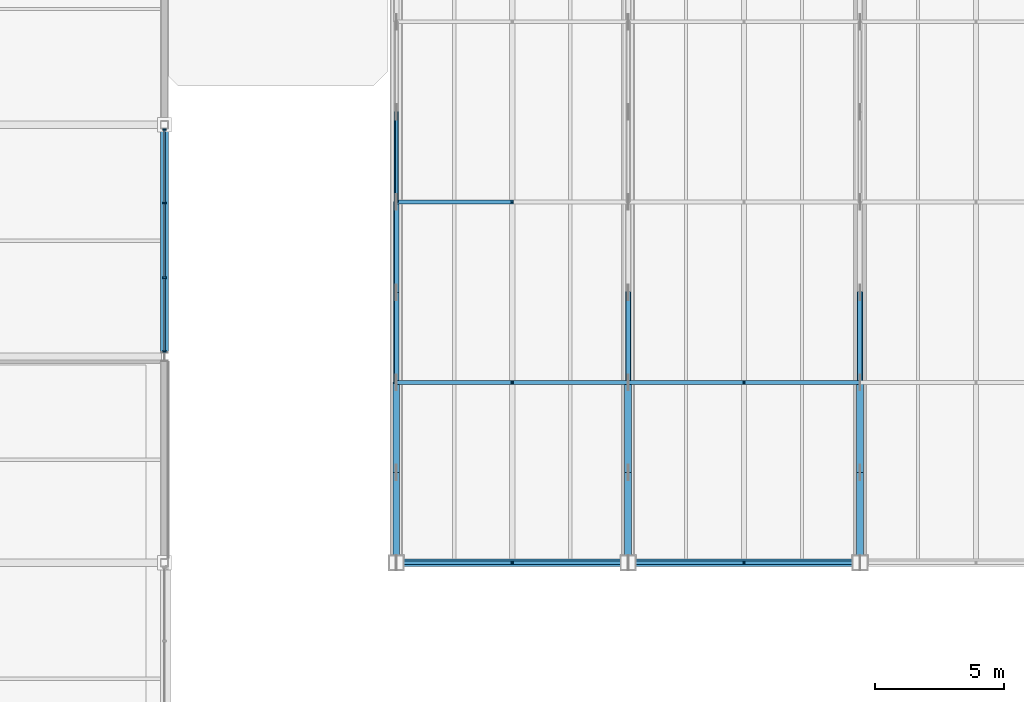
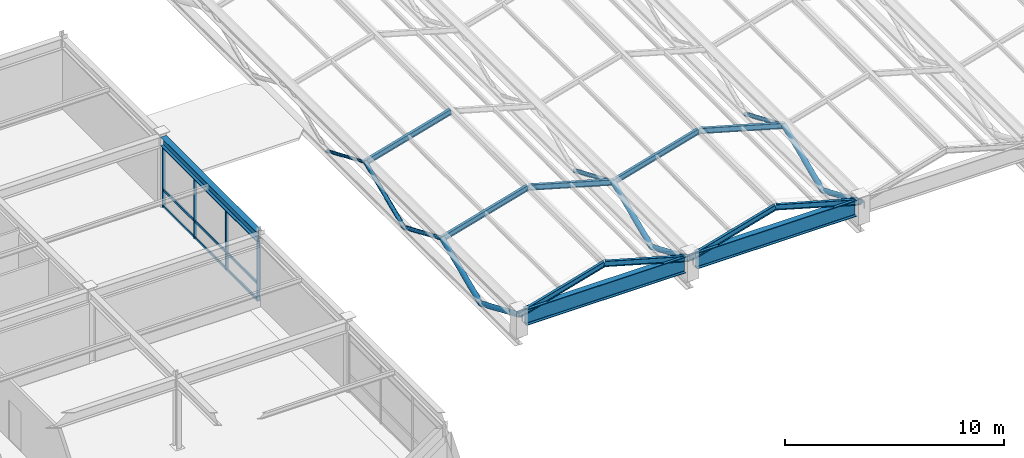
# One storey, part 31 of 108: 33 members, 3 beams, 1 element without a shape of its own.
"""IFC4 building model written with IfcOpenShell, lengths in metres."""

import ifcopenshell
import ifcopenshell.guid

model = None  # the IFC model being written
_history = None  # IfcOwnerHistory: only IFC2X3 demands one
_inside = {}  # id of a spatial element -> (the spatial element, [elements in it])
_under = {}  # id of a project, library or spatial element -> (it, [spatial elements below it])
_declared = {}  # id of a project -> (the project, [libraries it declares])
_typed = {}  # id of a type object -> (the type object, [elements of that type])
_made_of = {}  # id of a material, layer set ... -> (it, [elements and type objects made of it])


def new_model(schema):
    """Start an empty IFC model of exactly this schema.

    Asked for "IFC4X3", IfcOpenShell would pick the latest addendum, in which some entities
    have other attributes; the version numbers below select the first issue.
    IFC2X3 requires an IfcOwnerHistory on every rooted entity: one is made here for all.
    """
    global model, _history
    if schema == "IFC4X3":
        model = ifcopenshell.file(schema_version=(4, 3, 0, 0))
    else:
        model = ifcopenshell.file(schema=schema)
    _inside.clear()
    _under.clear()
    _declared.clear()
    _typed.clear()
    _made_of.clear()
    _history = None
    if model.schema == "IFC2X3":
        org = make("IfcOrganization", Name="unknown")
        user = make(
            "IfcPersonAndOrganization",
            ThePerson=make("IfcPerson", FamilyName="unknown"),
            TheOrganization=org,
        )
        app = make(
            "IfcApplication",
            ApplicationDeveloper=org,
            Version="unknown",
            ApplicationFullName="unknown",
            ApplicationIdentifier="unknown",
        )
        _history = make(
            "IfcOwnerHistory",
            OwningUser=user,
            OwningApplication=app,
            ChangeAction="ADDED",
            CreationDate=0,
        )
    return model


def make(cls, **values):
    """One entity of the class cls with the attributes given. An attribute that is None is left unset."""
    return model.create_entity(
        cls, **{name: value for name, value in values.items() if value is not None}
    )


def rooted(cls, **values):
    """An entity with a GlobalId (a new one), such as an element, a storey or a relation."""
    return make(cls, GlobalId=ifcopenshell.guid.new(), OwnerHistory=_history, **values)


def si_unit(unit_type, name, prefix=None):
    """IfcSIUnit, for example si_unit("LENGTHUNIT", "METRE", prefix="MILLI")."""
    return make("IfcSIUnit", UnitType=unit_type, Prefix=prefix, Name=name)


def assignment(units):
    """IfcUnitAssignment: the units of a project."""
    return None if units is None else make("IfcUnitAssignment", Units=units)


def point(xyz):
    """IfcCartesianPoint."""
    return None if xyz is None else make("IfcCartesianPoint", Coordinates=xyz)


def direction(xyz):
    """IfcDirection."""
    return None if xyz is None else make("IfcDirection", DirectionRatios=xyz)


def frame(location, z_axis=None, x_axis=None):
    """IfcAxis2Placement3D, a coordinate frame: its origin and axes. An axis left out is left unset."""
    return make(
        "IfcAxis2Placement3D",
        Location=point(location),
        Axis=direction(z_axis),
        RefDirection=direction(x_axis),
    )


def frame_2d(location, x_axis=None):
    """IfcAxis2Placement2D, a coordinate frame in the plane: its origin and x axis."""
    return make(
        "IfcAxis2Placement2D", Location=point(location), RefDirection=direction(x_axis)
    )


def origin():
    """The frame at (0, 0, 0) with its axes left unset."""
    return frame((0.0, 0.0, 0.0))


def origin_2d():
    """The frame at (0, 0) in the plane with its x axis left unset."""
    return frame_2d((0.0, 0.0))


def place(relative_to, where):
    """IfcLocalPlacement: puts the frame where relative to a parent placement (None: the world)."""
    return make(
        "IfcLocalPlacement", PlacementRelTo=relative_to, RelativePlacement=where
    )


def context(
    kind, dimensions, precision=None, world=None, true_north=None, identifier=None
):
    """IfcGeometricRepresentationContext, for example the 3D "Model" context."""
    return make(
        "IfcGeometricRepresentationContext",
        ContextIdentifier=identifier,
        ContextType=kind,
        CoordinateSpaceDimension=dimensions,
        Precision=precision,
        WorldCoordinateSystem=world,
        TrueNorth=true_north,
    )


def subcontext(parent, identifier, kind, view, scale=None):
    """IfcGeometricRepresentationSubContext, for example "Body" below "Model"."""
    return make(
        "IfcGeometricRepresentationSubContext",
        ContextIdentifier=identifier,
        ContextType=kind,
        ParentContext=parent,
        TargetScale=scale,
        TargetView=view,
    )


def project(units=None, contexts=None):
    """IfcProject with its units and contexts."""
    return rooted(
        "IfcProject",
        Name="project",
        RepresentationContexts=contexts,
        UnitsInContext=assignment(units),
    )


def spatial(cls, under=None, at=None, **own):
    """A site, building, storey or space (cls), placed at a placement, below another one or the project."""
    s = rooted(cls, ObjectPlacement=at, **own)
    if under is not None:
        _under.setdefault(under.id(), (under, []))[1].append(s)
    return s


def profile(cls, at=None, kind="AREA", **sizes):
    """A parametric profile (cls). Its sizes go by their IFC names, for example OverallWidth=200.0."""
    return make(cls, ProfileType=kind, Position=at, **sizes)


def rectangle(**sizes):
    """IfcRectangleProfileDef."""
    return profile("IfcRectangleProfileDef", **sizes)


def hollow_circle(**sizes):
    """IfcCircleHollowProfileDef."""
    return profile("IfcCircleHollowProfileDef", **sizes)


def i_section(**sizes):
    """IfcIShapeProfileDef."""
    return profile("IfcIShapeProfileDef", **sizes)


def extrude(swept, where, along, depth):
    """IfcExtrudedAreaSolid: the profile swept, set in the frame where, extruded along a direction by depth."""
    return make(
        "IfcExtrudedAreaSolid",
        SweptArea=swept,
        Position=where,
        ExtrudedDirection=direction(along),
        Depth=depth,
    )


def shape(context_of_items, identifier, shape_type, items):
    """IfcShapeRepresentation: the items that make up one representation, for example the "Body"."""
    return make(
        "IfcShapeRepresentation",
        ContextOfItems=context_of_items,
        RepresentationIdentifier=identifier,
        RepresentationType=shape_type,
        Items=items,
    )


def material(Name=None, Category=None):
    """IfcMaterial."""
    return make("IfcMaterial", Name=Name, Category=Category)


def material_profile(
    of_material, cross_section, Name=None, Category=None, Priority=None
):
    """IfcMaterialProfile: a cross section and its material."""
    return make(
        "IfcMaterialProfile",
        Name=Name,
        Material=of_material,
        Profile=cross_section,
        Priority=Priority,
        Category=Category,
    )


def profile_set(profiles, Name=None, composite=None):
    """IfcMaterialProfileSet."""
    return make(
        "IfcMaterialProfileSet",
        Name=Name,
        MaterialProfiles=profiles,
        CompositeProfile=composite,
    )


def made_of(thing, what):
    """Note that an element or type object is made of a material, layer set ...; save() writes the relation."""
    if what is not None:
        _made_of.setdefault(what.id(), (what, []))[1].append(thing)
    return thing


def type_object(cls, material=None, **own):
    """A type object (cls), such as IfcWallType, which elements share."""
    return made_of(rooted(cls, **own), material)


def element(
    cls,
    number,
    at=None,
    inside=None,
    cuts=None,
    type_object=None,
    material=None,
    context=None,
    identifier="Body",
    shape_type=None,
    held_by="IfcProductDefinitionShape",
    body=None,
    shapes=None,
    **own,
):
    """One element of the class cls, such as IfcWall. Its Tag is "e" and its number.

    at: its placement. inside: the storey or other place that contains it. cuts: it is an
    opening in that element (IfcRelVoidsElement). A single representation is given by context,
    identifier, shape_type and body (its items); several are given by shapes. held_by: the class
    of the entity that holds the representations. save() writes the other relations.
    """
    e = rooted(cls, Tag="e%d" % number, ObjectPlacement=at, **own)
    if body is not None:
        shapes = [shape(context, identifier, shape_type, body)]
    if shapes is not None:
        e.Representation = make(held_by, Representations=shapes)
    if inside is not None:
        _inside.setdefault(inside.id(), (inside, []))[1].append(e)
    if cuts is not None:
        rooted(
            "IfcRelVoidsElement", RelatingBuildingElement=cuts, RelatedOpeningElement=e
        )
    if type_object is not None:
        _typed.setdefault(type_object.id(), (type_object, []))[1].append(e)
    return made_of(e, material)


def aggregate(whole, parts):
    """IfcRelAggregates: a whole, such as a stair, and the parts it consists of."""
    return rooted("IfcRelAggregates", RelatingObject=whole, RelatedObjects=parts)


def save(model, path):
    """Write the relations noted so far, then the file.

    IfcRelAggregates (storeys below a building ...), IfcRelContainedInSpatialStructure (elements
    in a storey), IfcRelDefinesByType, IfcRelAssociatesMaterial and IfcRelDeclares: one each for
    every whole, place, type object, material and project.
    """
    for whole, parts in _under.values():
        aggregate(whole, parts)
    for where, things in _inside.values():
        rooted(
            "IfcRelContainedInSpatialStructure",
            RelatedElements=things,
            RelatingStructure=where,
        )
    for kind, things in _typed.values():
        rooted("IfcRelDefinesByType", RelatedObjects=things, RelatingType=kind)
    for what, things in _made_of.values():
        rooted("IfcRelAssociatesMaterial", RelatedObjects=things, RelatingMaterial=what)
    for by, libraries in _declared.values():
        rooted("IfcRelDeclares", RelatingContext=by, RelatedDefinitions=libraries)
    model.write(path)


model = new_model("IFC4")

# Units and contexts
model_context = context("Model", 3, precision=1e-05, world=origin(), true_north=direction((0.0, 1.0)))
body_context = subcontext(model_context, "Body", "Model", "MODEL_VIEW")
ifc_project = project(units=[si_unit("LENGTHUNIT", "METRE"), si_unit("AREAUNIT", "SQUARE_METRE"), si_unit("VOLUMEUNIT", "CUBIC_METRE"), si_unit("PLANEANGLEUNIT", "RADIAN"), si_unit("MASSUNIT", "GRAM", prefix="KILO")], contexts=[model_context])

# Site, building, storey
site_placement = place(None, origin())
site = spatial("IfcSite", under=ifc_project, at=site_placement, CompositionType="ELEMENT")
building_placement = place(site_placement, origin())
building = spatial("IfcBuilding", under=site, at=building_placement, Name="Suzunagisa Mobility Hub", CompositionType="ELEMENT")
storey_placement = place(building_placement, frame((0.0, 0.0, 9.300048828125)))
storey = spatial("IfcBuildingStorey", under=building, at=storey_placement, Name="L02", CompositionType="ELEMENT", Elevation=9.300048828125)

# Curtain wall, members
ifc_material_1 = material(Name="Thermally Broken Anodized Aluminum and Low-E Glazing", Category="aluminium")
curtain_wall_type = type_object("IfcCurtainWallType", Name="Unitised Curtain Wall CW-12 8750x3300", PredefinedType="USERDEFINED", material=ifc_material_1)
curtain_wall_placement = place(storey_placement, origin())
curtain_wall = element("IfcCurtainWall", 1, at=curtain_wall_placement, inside=storey, type_object=curtain_wall_type, Name="L02 Unitised Curtain Wall CW-28", ObjectType="UNITISED CURTAIN WALL", PredefinedType="USERDEFINED")
ifc_material_2 = material(Name="Anodized Aluminum 6063-T6", Category="aluminium")
ifc_material_profile_1 = material_profile(ifc_material_2, rectangle(XDim=0.06494140625, YDim=0.139892578125, at=origin_2d()), Name="TRAN-65x140")
ifc_profile_set_1 = profile_set([ifc_material_profile_1], Name="Anodized Aluminum 6063-T6")
member_type_1 = type_object("IfcMemberType", Name="Curtain Wall Framing CM-01 TRAN-65x140", PredefinedType="USERDEFINED", material=ifc_profile_set_1)
member_1_placement = place(storey_placement, frame((36.0, 44.22802734375, 0.032470703125), z_axis=(0.0, 1.0, 0.0), x_axis=(-1.0, 0.0, 0.0)))
member_1 = element("IfcMember", 2, at=member_1_placement, type_object=member_type_1, Name="Curtain Wall Transom 28-T1.1", ObjectType="TRANSOM", PredefinedType="USERDEFINED", context=body_context, shape_type="SweptSolid", body=[
    extrude(rectangle(XDim=0.06494140625, YDim=0.139892578125, at=origin_2d()), origin(), (0.0, 0.0, 1.0), 2.807373046875),
])
member_2_placement = place(storey_placement, frame((36.0, 44.22802734375, 0.949951171875), z_axis=(0.0, 1.0, 0.0), x_axis=(-1.0, 0.0, 0.0)))
member_2 = element("IfcMember", 3, at=member_2_placement, type_object=member_type_1, Name="Curtain Wall Transom 28-T1.2", ObjectType="TRANSOM", PredefinedType="USERDEFINED", context=body_context, shape_type="SweptSolid", body=[
    extrude(rectangle(XDim=0.06494140625, YDim=0.139892578125, at=origin_2d()), origin(), (0.0, 0.0, 1.0), 2.807373046875),
])
member_3_placement = place(storey_placement, frame((36.0, 44.22802734375, 3.299560546875), z_axis=(0.0, 1.0, 0.0), x_axis=(-1.0, 0.0, 0.0)))
member_3 = element("IfcMember", 4, at=member_3_placement, type_object=member_type_1, Name="Curtain Wall Transom 28-T1.3", ObjectType="TRANSOM", PredefinedType="USERDEFINED", context=body_context, shape_type="SweptSolid", body=[
    extrude(rectangle(XDim=0.06494140625, YDim=0.139892578125, at=origin_2d()), origin(), (0.0, 0.0, 1.0), 2.807373046875),
])
member_4_placement = place(storey_placement, frame((36.0, 47.09130859375, 0.032470703125), z_axis=(0.0, 1.0, 0.0), x_axis=(-1.0, 0.0, 0.0)))
member_4 = element("IfcMember", 5, at=member_4_placement, type_object=member_type_1, Name="Curtain Wall Transom 28-T2.1", ObjectType="TRANSOM", PredefinedType="USERDEFINED", context=body_context, shape_type="SweptSolid", body=[
    extrude(rectangle(XDim=0.06494140625, YDim=0.139892578125, at=origin_2d()), origin(), (0.0, 0.0, 1.0), 2.83740234375),
])
member_5_placement = place(storey_placement, frame((36.0, 47.09130859375, 0.949951171875), z_axis=(0.0, 1.0, 0.0), x_axis=(-1.0, 0.0, 0.0)))
member_5 = element("IfcMember", 6, at=member_5_placement, type_object=member_type_1, Name="Curtain Wall Transom 28-T2.2", ObjectType="TRANSOM", PredefinedType="USERDEFINED", context=body_context, shape_type="SweptSolid", body=[
    extrude(rectangle(XDim=0.06494140625, YDim=0.139892578125, at=origin_2d()), origin(), (0.0, 0.0, 1.0), 2.83740234375),
])
member_6_placement = place(storey_placement, frame((36.0, 47.09130859375, 3.299560546875), z_axis=(0.0, 1.0, 0.0), x_axis=(-1.0, 0.0, 0.0)))
member_6 = element("IfcMember", 7, at=member_6_placement, type_object=member_type_1, Name="Curtain Wall Transom 28-T2.3", ObjectType="TRANSOM", PredefinedType="USERDEFINED", context=body_context, shape_type="SweptSolid", body=[
    extrude(rectangle(XDim=0.06494140625, YDim=0.139892578125, at=origin_2d()), origin(), (0.0, 0.0, 1.0), 2.83740234375),
])
member_7_placement = place(storey_placement, frame((36.0, 49.984619140625, 0.032470703125), z_axis=(0.0, 1.0, 0.0), x_axis=(-1.0, 0.0, 0.0)))
member_7 = element("IfcMember", 8, at=member_7_placement, type_object=member_type_1, Name="Curtain Wall Transom 28-T3.1", ObjectType="TRANSOM", PredefinedType="USERDEFINED", context=body_context, shape_type="SweptSolid", body=[
    extrude(rectangle(XDim=0.06494140625, YDim=0.139892578125, at=origin_2d()), origin(), (0.0, 0.0, 1.0), 2.807373046875),
])
member_8_placement = place(storey_placement, frame((36.0, 49.984619140625, 0.949951171875), z_axis=(0.0, 1.0, 0.0), x_axis=(-1.0, 0.0, 0.0)))
member_8 = element("IfcMember", 9, at=member_8_placement, type_object=member_type_1, Name="Curtain Wall Transom 28-T3.2", ObjectType="TRANSOM", PredefinedType="USERDEFINED", context=body_context, shape_type="SweptSolid", body=[
    extrude(rectangle(XDim=0.06494140625, YDim=0.139892578125, at=origin_2d()), origin(), (0.0, 0.0, 1.0), 2.807373046875),
])
member_9_placement = place(storey_placement, frame((36.0, 49.984619140625, 3.299560546875), z_axis=(0.0, 1.0, 0.0), x_axis=(-1.0, 0.0, 0.0)))
member_9 = element("IfcMember", 10, at=member_9_placement, type_object=member_type_1, Name="Curtain Wall Transom 28-T3.3", ObjectType="TRANSOM", PredefinedType="USERDEFINED", context=body_context, shape_type="SweptSolid", body=[
    extrude(rectangle(XDim=0.06494140625, YDim=0.139892578125, at=origin_2d()), origin(), (0.0, 0.0, 1.0), 2.807373046875),
])
ifc_material_profile_2 = material_profile(ifc_material_2, rectangle(XDim=0.06005859375, YDim=0.14990234375, at=origin_2d()), Name="MULL-60x150")
ifc_profile_set_2 = profile_set([ifc_material_profile_2], Name="Anodized Aluminum 6063-T6")
member_type_2 = type_object("IfcMemberType", Name="Curtain Wall Framing CM-03 MULL-60x150", PredefinedType="MULLION", material=ifc_profile_set_2)
member_10_placement = place(storey_placement, frame((36.0, 44.199951171875, 0.0), z_axis=(0.0, 0.0, 1.0), x_axis=(0.0, 1.0, 0.0)))
member_10 = element("IfcMember", 11, at=member_10_placement, type_object=member_type_2, Name="Curtain Wall Mullion 28-M1", PredefinedType="MULLION", context=body_context, shape_type="SweptSolid", body=[
    extrude(rectangle(XDim=0.06005859375, YDim=0.14990234375, at=origin_2d()), origin(), (0.0, 0.0, 1.0), 3.33203125),
])
member_11_placement = place(storey_placement, frame((36.0, 47.063232421875, 0.0), z_axis=(0.0, 0.0, 1.0), x_axis=(0.0, 1.0, 0.0)))
member_11 = element("IfcMember", 12, at=member_11_placement, type_object=member_type_2, Name="Curtain Wall Mullion 28-M2", PredefinedType="MULLION", context=body_context, shape_type="SweptSolid", body=[
    extrude(rectangle(XDim=0.06005859375, YDim=0.14990234375, at=origin_2d()), origin(), (0.0, 0.0, 1.0), 3.33203125),
])
member_12_placement = place(storey_placement, frame((36.0, 49.956787109375, 0.0), z_axis=(0.0, 0.0, 1.0), x_axis=(0.0, 1.0, 0.0)))
member_12 = element("IfcMember", 13, at=member_12_placement, type_object=member_type_2, Name="Curtain Wall Mullion 28-M3", PredefinedType="MULLION", context=body_context, shape_type="SweptSolid", body=[
    extrude(rectangle(XDim=0.06005859375, YDim=0.14990234375, at=origin_2d()), origin(), (0.0, 0.0, 1.0), 3.33203125),
])
member_13_placement = place(storey_placement, frame((36.0, 52.820068359375, 0.0), z_axis=(0.0, 0.0, 1.0), x_axis=(0.0, 1.0, 0.0)))
member_13 = element("IfcMember", 14, at=member_13_placement, type_object=member_type_2, Name="Curtain Wall Mullion 28-M4", PredefinedType="MULLION", context=body_context, shape_type="SweptSolid", body=[
    extrude(rectangle(XDim=0.06005859375, YDim=0.14990234375, at=origin_2d()), origin(), (0.0, 0.0, 1.0), 3.33203125),
])
aggregate(curtain_wall, [member_10, member_11, member_12, member_13, member_1, member_2, member_3, member_4, member_5, member_6, member_7, member_8, member_9])

# Members
ifc_material_3 = material(Name="Steel SN490B", Category="steel")
ifc_material_profile_3 = material_profile(ifc_material_3, hollow_circle(Radius=0.108154296875, WallThickness=0.00830078125, at=origin_2d()), Name="CHS-216.3x8.2")
ifc_profile_set_3 = profile_set([ifc_material_profile_3], Name="Steel SN490B")
member_type_3 = type_object("IfcMemberType", Name="Roof Truss and Brace Member MB-01 CHS-216.3x8.2", PredefinedType="STRUT", material=ifc_profile_set_3)
for number, where, z_axis, x_axis, name in (
    (15, (45.0, 43.0, 1.0537109375), (0.0, 0.919145030018, -0.393919298579), (-1.0, 0.0, 0.0), "Secondary Sub-Truss Web 3"),
    (16, (45.0, 46.5, -0.4462890625), (0.0, 0.919145030018, 0.393919298579), (-1.0, 0.0, 0.0), "Secondary Sub-Truss Web 4"),
    (17, (54.0, 43.0, 1.0537109375), (0.0, 0.919145030018, -0.393919298579), (-1.0, 0.0, 0.0), "Secondary Sub-Truss Web 13"),
    (18, (63.0, 43.0, 1.0537109375), (0.0, 0.919145030018, -0.393919298579), (-1.0, 0.0, 0.0), "Secondary Sub-Truss Web 23"),
):
    element("IfcMember", number, at=place(storey_placement, frame(where, z_axis=z_axis, x_axis=x_axis)), inside=storey, type_object=member_type_3, Name=name, PredefinedType="STRUT", context=body_context, shape_type="SweptSolid", body=[
        extrude(hollow_circle(Radius=0.108154296875, WallThickness=0.00830078125, at=origin_2d()), origin(), (0.0, 0.0, 1.0), 3.807861328125),
    ])
ifc_material_profile_4 = material_profile(ifc_material_3, hollow_circle(Radius=0.1337890625, WallThickness=0.00927734375, at=origin_2d()), Name="CHS-267.4x9.3")
ifc_profile_set_4 = profile_set([ifc_material_profile_4], Name="Steel SN490B")
member_type_4 = type_object("IfcMemberType", Name="Roof Truss and Brace Member MB-02 CHS-267.4x9.3", PredefinedType="STRUT", material=ifc_profile_set_4)
for number, where, z_axis, x_axis, name in (
    (19, (45.0, 36.0, 1.0537109375), (0.0, 0.919145030018, -0.393919298579), (-1.0, 0.0, 0.0), "Secondary Sub-Truss Web 1"),
    (20, (45.0, 39.5, -0.4462890625), (0.0, 0.919145030018, 0.393919298579), (-1.0, 0.0, 0.0), "Secondary Sub-Truss Web 2"),
    (21, (54.0, 36.0, 1.0537109375), (0.0, 0.919145030018, -0.393919298579), (-1.0, 0.0, 0.0), "Secondary Sub-Truss Web 11"),
    (22, (54.0, 39.5, -0.4462890625), (0.0, 0.919145030018, 0.393919298579), (-1.0, 0.0, 0.0), "Secondary Sub-Truss Web 12"),
    (23, (63.0, 36.0, 1.0537109375), (0.0, 0.919145030018, -0.393919298579), (-1.0, 0.0, 0.0), "Secondary Sub-Truss Web 21"),
    (24, (63.0, 39.5, -0.4462890625), (0.0, 0.919145030018, 0.393919298579), (-1.0, 0.0, 0.0), "Secondary Sub-Truss Web 22"),
):
    element("IfcMember", number, at=place(storey_placement, frame(where, z_axis=z_axis, x_axis=x_axis)), inside=storey, type_object=member_type_4, Name=name, PredefinedType="STRUT", context=body_context, shape_type="SweptSolid", body=[
        extrude(hollow_circle(Radius=0.1337890625, WallThickness=0.00927734375, at=origin_2d()), origin(), (0.0, 0.0, 1.0), 3.807861328125),
    ])
ifc_material_4 = material(Name="Steel SN400B", Category="steel")
ifc_material_profile_5 = material_profile(ifc_material_4, i_section(OverallWidth=0.14990234375, OverallDepth=0.300048828125, WebThickness=0.006591796875, FlangeThickness=0.009033203125, FilletRadius=0.008056640625, at=origin_2d()), Name="H-300x150x6.5x9")
ifc_profile_set_5 = profile_set([ifc_material_profile_5], Name="Steel SN400B")
member_type_5 = type_object("IfcMemberType", Name="Roof Truss and Brace Member MB-08 H-300x150x6.5x9", PredefinedType="RAFTER", material=ifc_profile_set_5)
for number, where, z_axis, x_axis, name in (
    (25, (45.0, 36.0, 1.0537109375), (0.961899182139, 0.0, 0.273404395357), (0.0, 1.0, 0.0), "Secondary Roof Sub-Rafter 92"),
    (26, (54.0, 36.0, 1.0537109375), (-0.961899182139, 0.0, 0.273404395357), (0.0, -1.0, 0.0), "Secondary Roof Sub-Rafter 93"),
    (27, (45.0, 43.0, 1.0537109375), (0.961899182139, 0.0, 0.273404395357), (0.0, 1.0, 0.0), "Secondary Roof Sub-Rafter 94"),
    (28, (54.0, 43.0, 1.0537109375), (-0.961899182139, 0.0, 0.273404395357), (0.0, -1.0, 0.0), "Secondary Roof Sub-Rafter 95"),
    (29, (45.0, 50.0, 1.0537109375), (0.961899182139, 0.0, 0.273404395357), (0.0, 1.0, 0.0), "Secondary Roof Sub-Rafter 96"),
    (30, (54.0, 36.0, 1.0537109375), (0.961899182139, 0.0, 0.273404395357), (0.0, 1.0, 0.0), "Secondary Roof Sub-Rafter 107"),
    (31, (63.0, 36.0, 1.0537109375), (-0.961899182139, 0.0, 0.273404395357), (0.0, -1.0, 0.0), "Secondary Roof Sub-Rafter 108"),
    (32, (54.0, 43.0, 1.0537109375), (0.961899182139, 0.0, 0.273404395357), (0.0, 1.0, 0.0), "Secondary Roof Sub-Rafter 109"),
    (33, (63.0, 43.0, 1.0537109375), (-0.961899182139, 0.0, 0.273404395357), (0.0, -1.0, 0.0), "Secondary Roof Sub-Rafter 110"),
):
    element("IfcMember", number, at=place(storey_placement, frame(where, z_axis=z_axis, x_axis=x_axis)), inside=storey, type_object=member_type_5, Name=name, PredefinedType="RAFTER", context=body_context, shape_type="SweptSolid", body=[
        extrude(i_section(OverallWidth=0.14990234375, OverallDepth=0.300048828125, WebThickness=0.006591796875, FlangeThickness=0.009033203125, FilletRadius=0.008056640625, at=origin_2d()), origin(), (0.0, 0.0, 1.0), 4.67822265625),
    ])
ifc_material_profile_6 = material_profile(ifc_material_4, hollow_circle(Radius=0.08251953125, WallThickness=0.007080078125, at=origin_2d()), Name="CHS-165.2x7.1")
ifc_profile_set_6 = profile_set([ifc_material_profile_6], Name="Steel SN400B")
member_type_6 = type_object("IfcMemberType", Name="Roof Truss and Brace Member MB-09 CHS-165.2x7.1", PredefinedType="STRUT", material=ifc_profile_set_6)
member_14_placement = place(storey_placement, frame((45.0, 50.0, 1.0537109375), z_axis=(0.0, 0.919145030018, -0.393919298579), x_axis=(-1.0, 0.0, 0.0)))
element("IfcMember", 34, at=member_14_placement, inside=storey, type_object=member_type_6, Name="Secondary Sub-Truss Web 5", PredefinedType="STRUT", context=body_context, shape_type="SweptSolid", body=[
    extrude(hollow_circle(Radius=0.08251953125, WallThickness=0.007080078125, at=origin_2d()), origin(), (0.0, 0.0, 1.0), 3.807861328125),
])

# Beams
ifc_material_profile_7 = material_profile(ifc_material_3, i_section(OverallWidth=0.300048828125, OverallDepth=0.89990234375, WebThickness=0.01611328125, FlangeThickness=0.028076171875, FilletRadius=0.01806640625, at=origin_2d()), Name="H-900x300x16x28")
ifc_profile_set_7 = profile_set([ifc_material_profile_7], Name="Steel SN490B")
beam_type_1 = type_object("IfcBeamType", Name="Steel Beam BM-01 H-900x300x16x28", PredefinedType="BEAM", material=ifc_profile_set_7)
for number, where, z_axis, x_axis, name in (
    (35, (45.300048828125, 36.0, 0.863037109375), (1.0, 0.0, 0.0), (0.0, 1.0, 0.0), "L02 Concourse Eave Girder EG-2212"),
    (36, (54.300048828125, 36.0, 0.863037109375), (1.0, 0.0, 0.0), (0.0, 1.0, 0.0), "L02 Concourse Eave Girder EG-2213"),
):
    element("IfcBeam", number, at=place(storey_placement, frame(where, z_axis=z_axis, x_axis=x_axis)), inside=storey, type_object=beam_type_1, Name=name, PredefinedType="BEAM", context=body_context, shape_type="SweptSolid", body=[
        extrude(i_section(OverallWidth=0.300048828125, OverallDepth=0.89990234375, WebThickness=0.01611328125, FlangeThickness=0.028076171875, FilletRadius=0.01806640625, at=origin_2d()), origin(), (0.0, 0.0, 1.0), 8.39990234375),
    ])
ifc_material_profile_8 = material_profile(ifc_material_3, i_section(OverallWidth=0.300048828125, OverallDepth=0.488037109375, WebThickness=0.010986328125, FlangeThickness=0.01806640625, FilletRadius=0.012939453125, at=origin_2d()), Name="H-488x300x11x18")
ifc_profile_set_8 = profile_set([ifc_material_profile_8], Name="Steel SN490B")
beam_type_2 = type_object("IfcBeamType", Name="Steel Beam BM-06 H-488x300x11x18", PredefinedType="BEAM", material=ifc_profile_set_8)
beam_placement = place(storey_placement, frame((36.0, 44.166015625, 3.676025390625), z_axis=(0.0, 1.0, 0.0), x_axis=(-1.0, 0.0, 0.0)))
element("IfcBeam", 37, at=beam_placement, inside=storey, type_object=beam_type_2, Name="L02 Primary Girder GY-325", PredefinedType="BEAM", context=body_context, shape_type="SweptSolid", body=[
    extrude(i_section(OverallWidth=0.300048828125, OverallDepth=0.488037109375, WebThickness=0.010986328125, FlangeThickness=0.01806640625, FilletRadius=0.012939453125, at=origin_2d()), origin(), (0.0, 0.0, 1.0), 8.68798828125),
])

save(model, "model.ifc")
